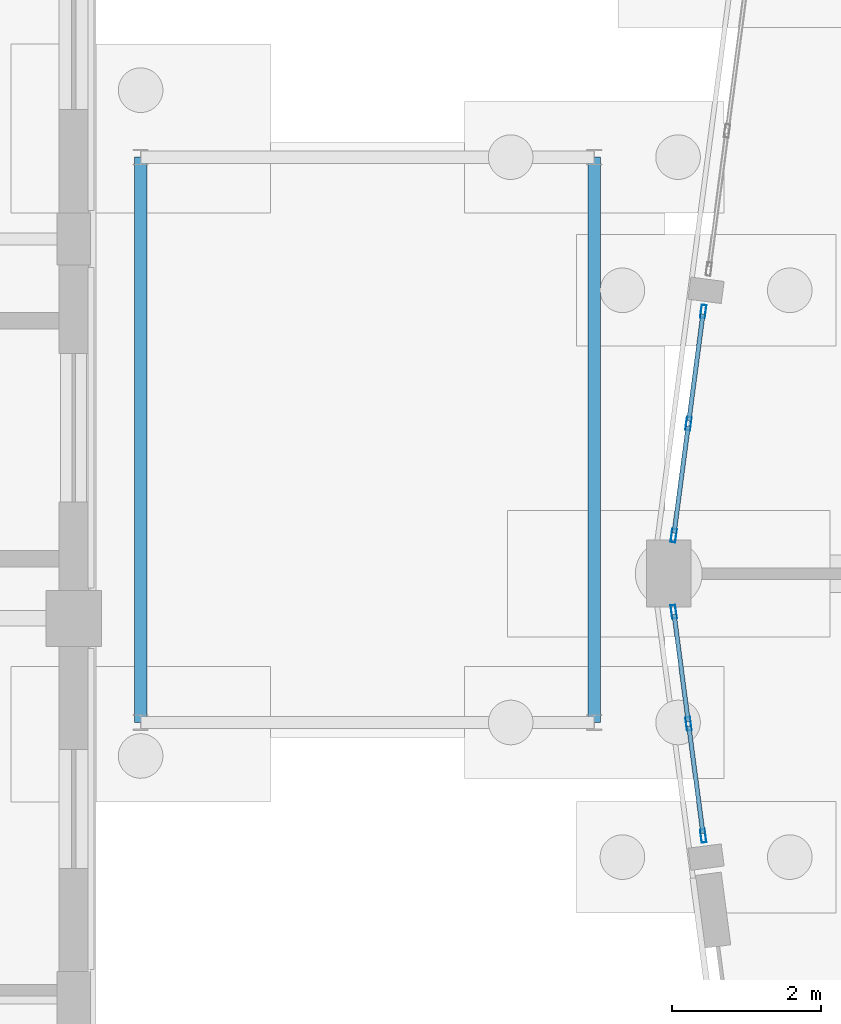
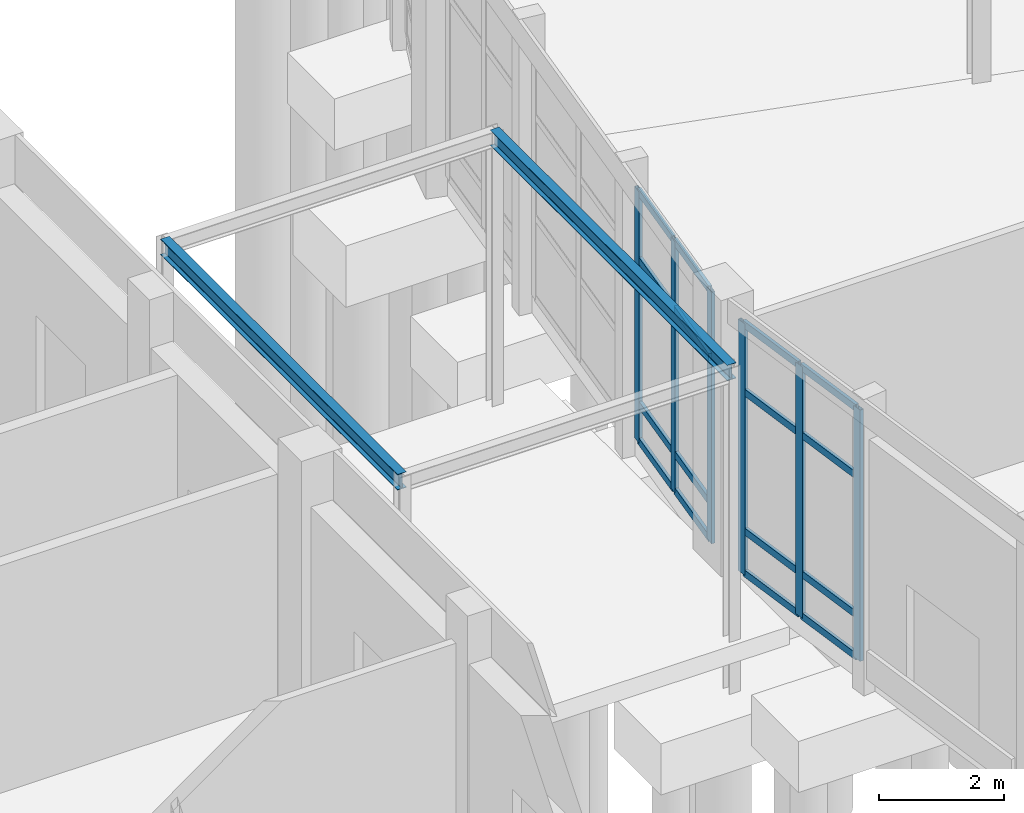
# One storey, part 46 of 137: 22 members, 2 beams, 2 elements without a shape of their own.
"""IFC4 building model written with IfcOpenShell, lengths in metres."""

from ifc_helpers import new_model, si_unit, direction, frame, origin, origin_2d, place, context, subcontext, project, spatial, hollow_rectangle, i_section, extrude, material, material_profile, profile_set, type_object, element, aggregate, save


model = new_model("IFC4")

# Units and contexts
model_context = context("Model", 3, precision=1e-05, world=origin(), true_north=direction((0.0, 1.0)))
body_context = subcontext(model_context, "Body", "Model", "MODEL_VIEW")
ifc_project = project(units=[si_unit("LENGTHUNIT", "METRE"), si_unit("AREAUNIT", "SQUARE_METRE"), si_unit("VOLUMEUNIT", "CUBIC_METRE"), si_unit("PLANEANGLEUNIT", "RADIAN"), si_unit("MASSUNIT", "GRAM", prefix="KILO")], contexts=[model_context])

# Site, building, storey
site_placement = place(None, origin())
site = spatial("IfcSite", under=ifc_project, at=site_placement, CompositionType="ELEMENT")
building_placement = place(site_placement, origin())
building = spatial("IfcBuilding", under=site, at=building_placement, Name="Vondelvale Polytechnic", CompositionType="ELEMENT")
storey_placement = place(building_placement, origin())
storey = spatial("IfcBuildingStorey", under=building, at=storey_placement, Name="L00", CompositionType="ELEMENT", Elevation=0.0)

# Beams
ifc_material_1 = material(Name="Steel 300PLUS (fy = 300 MPa)", Category="steel")
ifc_material_profile_1 = material_profile(ifc_material_1, i_section(OverallWidth=0.166015625, OverallDepth=0.306884765625, WebThickness=0.006591796875, FlangeThickness=0.01171875, FilletRadius=0.011474609375, at=origin_2d()), Name="310UB46.2")
ifc_profile_set_1 = profile_set([ifc_material_profile_1], Name="Steel 300PLUS (fy = 300 MPa)")
beam_type = type_object("IfcBeamType", Name="BM-UB310H", PredefinedType="BEAM", material=ifc_profile_set_1)
for number, where, z_axis, x_axis, name in (
    (1, (48.89990234375, 70.0, 5.196533203125), (0.0, 1.0, 0.0), (-1.0, 0.0, 0.0), "L00 LC B-16"),
    (2, (55.0, 70.0, 5.196533203125), (0.0, 1.0, 0.0), (-1.0, 0.0, 0.0), "L00 LC B-16"),
):
    element("IfcBeam", number, at=place(storey_placement, frame(where, z_axis=z_axis, x_axis=x_axis)), inside=storey, type_object=beam_type, Name=name, PredefinedType="BEAM", context=body_context, shape_type="SweptSolid", body=[
        extrude(i_section(OverallWidth=0.166015625, OverallDepth=0.306884765625, WebThickness=0.006591796875, FlangeThickness=0.01171875, FilletRadius=0.011474609375, at=origin_2d()), origin(), (0.0, 0.0, 1.0), 7.60009765625),
    ])

# Curtain wall, members
ifc_material_2 = material(Name="Glulam GL18 structural Tasmanian oak (fb = 42 MPa)", Category="wood")
curtain_wall_type = type_object("IfcCurtainWallType", Name="CW-RING-OUTER", PredefinedType="NOTDEFINED", material=ifc_material_2)
curtain_wall_1_placement = place(storey_placement, origin())
curtain_wall_1 = element("IfcCurtainWall", 3, at=curtain_wall_1_placement, inside=storey, type_object=curtain_wall_type, Name="L00 architectural curtain wall CW-04-243", PredefinedType="NOTDEFINED")
ifc_material_3 = material(Name="Anodised extruded aluminium 6063-T6", Category="aluminium")
ifc_material_profile_2 = material_profile(ifc_material_3, hollow_rectangle(XDim=0.06494140625, YDim=0.179931640625, WallThickness=0.00390625, at=origin_2d()), Name="CW-MUL-180x65")
ifc_profile_set_2 = profile_set([ifc_material_profile_2], Name="Anodised extruded aluminium 6063-T6")
member_type_1 = type_object("IfcMemberType", Name="CW-MUL-65x180", PredefinedType="MULLION", material=ifc_profile_set_2)
member_1_placement = place(storey_placement, frame((56.464111328125, 75.524658203125, 0.0), z_axis=(0.0, 0.0, 1.0), x_axis=(0.991445190781, -0.130523690099, 0.0)))
member_1 = element("IfcMember", 4, at=member_1_placement, type_object=member_type_1, Name="CW-04-243 mullion 1", PredefinedType="MULLION", context=body_context, shape_type="SweptSolid", body=[
    extrude(hollow_rectangle(XDim=0.06494140625, YDim=0.179931640625, WallThickness=0.00390625, at=origin_2d()), origin(), (0.0, 0.0, 1.0), 4.919921875),
])
member_2_placement = place(storey_placement, frame((56.265869140625, 74.0185546875, 0.0), z_axis=(0.0, 0.0, 1.0), x_axis=(0.991445190781, -0.130523690099, 0.0)))
member_2 = element("IfcMember", 5, at=member_2_placement, type_object=member_type_1, Name="CW-04-243 mullion 2", PredefinedType="MULLION", context=body_context, shape_type="SweptSolid", body=[
    extrude(hollow_rectangle(XDim=0.06494140625, YDim=0.179931640625, WallThickness=0.00390625, at=origin_2d()), origin(), (0.0, 0.0, 1.0), 4.919921875),
])
member_3_placement = place(storey_placement, frame((56.0673828125, 72.51220703125, 0.0), z_axis=(0.0, 0.0, 1.0), x_axis=(0.991445190781, -0.130523690099, 0.0)))
member_3 = element("IfcMember", 6, at=member_3_placement, type_object=member_type_1, Name="CW-04-243 mullion 3", PredefinedType="MULLION", context=body_context, shape_type="SweptSolid", body=[
    extrude(hollow_rectangle(XDim=0.06494140625, YDim=0.179931640625, WallThickness=0.00390625, at=origin_2d()), origin(), (0.0, 0.0, 1.0), 4.919921875),
])

curtain_wall_2_placement = place(storey_placement, origin())
curtain_wall_2 = element("IfcCurtainWall", 7, at=curtain_wall_2_placement, inside=storey, type_object=curtain_wall_type, Name="L00 architectural curtain wall CW-04-257", PredefinedType="NOTDEFINED")
member_4_placement = place(storey_placement, frame((56.0673828125, 71.48779296875, 0.0), z_axis=(0.0, 0.0, 1.0), x_axis=(0.991445190781, 0.130523690099, 0.0)))
member_4 = element("IfcMember", 8, at=member_4_placement, type_object=member_type_1, Name="CW-04-257 mullion 1", PredefinedType="MULLION", context=body_context, shape_type="SweptSolid", body=[
    extrude(hollow_rectangle(XDim=0.06494140625, YDim=0.179931640625, WallThickness=0.00390625, at=origin_2d()), origin(), (0.0, 0.0, 1.0), 4.919921875),
])
member_5_placement = place(storey_placement, frame((56.265869140625, 69.9814453125, 0.0), z_axis=(0.0, 0.0, 1.0), x_axis=(0.991445190781, 0.130523690099, 0.0)))
member_5 = element("IfcMember", 9, at=member_5_placement, type_object=member_type_1, Name="CW-04-257 mullion 2", PredefinedType="MULLION", context=body_context, shape_type="SweptSolid", body=[
    extrude(hollow_rectangle(XDim=0.06494140625, YDim=0.179931640625, WallThickness=0.00390625, at=origin_2d()), origin(), (0.0, 0.0, 1.0), 4.919921875),
])
member_6_placement = place(storey_placement, frame((56.464111328125, 68.475341796875, 0.0), z_axis=(0.0, 0.0, 1.0), x_axis=(0.991445190781, 0.130523690099, 0.0)))
member_6 = element("IfcMember", 10, at=member_6_placement, type_object=member_type_1, Name="CW-04-257 mullion 3", PredefinedType="MULLION", context=body_context, shape_type="SweptSolid", body=[
    extrude(hollow_rectangle(XDim=0.06494140625, YDim=0.179931640625, WallThickness=0.00390625, at=origin_2d()), origin(), (0.0, 0.0, 1.0), 4.919921875),
])

# Member
ifc_material_profile_3 = material_profile(ifc_material_3, hollow_rectangle(XDim=0.06005859375, YDim=0.139892578125, WallThickness=0.00341796875, at=origin_2d()), Name="CW-TRN-140x60")
ifc_profile_set_3 = profile_set([ifc_material_profile_3], Name="Anodised extruded aluminium 6063-T6")
member_type_2 = type_object("IfcMemberType", Name="CW-TRN-60x140", PredefinedType="USERDEFINED", material=ifc_profile_set_3)
member_7_placement = place(storey_placement, frame((56.459716796875, 75.49267578125, 0.030029296875), z_axis=(-0.130437142462, -0.991456580928, 0.0), x_axis=(0.991456580928, -0.130437142462, 0.0)))
member_7 = element("IfcMember", 11, at=member_7_placement, type_object=member_type_2, Name="CW-04-243 transom 1.1", ObjectType="TRANSOM", PredefinedType="USERDEFINED", context=body_context, shape_type="SweptSolid", body=[
    extrude(hollow_rectangle(XDim=0.06005859375, YDim=0.139892578125, WallThickness=0.00341796875, at=origin_2d()), origin(), (0.0, 0.0, 1.0), 1.454345703125),
])

member_8_placement = place(storey_placement, frame((56.459716796875, 75.49267578125, 0.75), z_axis=(-0.130437142462, -0.991456580928, 0.0), x_axis=(0.991456580928, -0.130437142462, 0.0)))
member_8 = element("IfcMember", 12, at=member_8_placement, type_object=member_type_2, Name="CW-04-243 transom 1.2", ObjectType="TRANSOM", PredefinedType="USERDEFINED", context=body_context, shape_type="SweptSolid", body=[
    extrude(hollow_rectangle(XDim=0.06005859375, YDim=0.139892578125, WallThickness=0.00341796875, at=origin_2d()), origin(), (0.0, 0.0, 1.0), 1.454345703125),
])

member_9_placement = place(storey_placement, frame((56.459716796875, 75.49267578125, 3.570068359375), z_axis=(-0.130437142462, -0.991456580928, 0.0), x_axis=(0.991456580928, -0.130437142462, 0.0)))
member_9 = element("IfcMember", 13, at=member_9_placement, type_object=member_type_2, Name="CW-04-243 transom 1.3", ObjectType="TRANSOM", PredefinedType="USERDEFINED", context=body_context, shape_type="SweptSolid", body=[
    extrude(hollow_rectangle(XDim=0.06005859375, YDim=0.139892578125, WallThickness=0.00341796875, at=origin_2d()), origin(), (0.0, 0.0, 1.0), 1.454345703125),
])

member_10_placement = place(storey_placement, frame((56.459716796875, 75.49267578125, 4.889892578125), z_axis=(-0.130437142462, -0.991456580928, 0.0), x_axis=(0.991456580928, -0.130437142462, 0.0)))
member_10 = element("IfcMember", 14, at=member_10_placement, type_object=member_type_2, Name="CW-04-243 transom 1.4", ObjectType="TRANSOM", PredefinedType="USERDEFINED", context=body_context, shape_type="SweptSolid", body=[
    extrude(hollow_rectangle(XDim=0.06005859375, YDim=0.139892578125, WallThickness=0.00341796875, at=origin_2d()), origin(), (0.0, 0.0, 1.0), 1.454345703125),
])

member_11_placement = place(storey_placement, frame((56.261474609375, 73.986328125, 0.030029296875), z_axis=(-0.130437142462, -0.991456580928, 0.0), x_axis=(0.991456580928, -0.130437142462, 0.0)))
member_11 = element("IfcMember", 15, at=member_11_placement, type_object=member_type_2, Name="CW-04-243 transom 2.1", ObjectType="TRANSOM", PredefinedType="USERDEFINED", context=body_context, shape_type="SweptSolid", body=[
    extrude(hollow_rectangle(XDim=0.06005859375, YDim=0.139892578125, WallThickness=0.00341796875, at=origin_2d()), origin(), (0.0, 0.0, 1.0), 1.454345703125),
])

member_12_placement = place(storey_placement, frame((56.261474609375, 73.986328125, 0.75), z_axis=(-0.130437142462, -0.991456580928, 0.0), x_axis=(0.991456580928, -0.130437142462, 0.0)))
member_12 = element("IfcMember", 16, at=member_12_placement, type_object=member_type_2, Name="CW-04-243 transom 2.2", ObjectType="TRANSOM", PredefinedType="USERDEFINED", context=body_context, shape_type="SweptSolid", body=[
    extrude(hollow_rectangle(XDim=0.06005859375, YDim=0.139892578125, WallThickness=0.00341796875, at=origin_2d()), origin(), (0.0, 0.0, 1.0), 1.454345703125),
])

member_13_placement = place(storey_placement, frame((56.261474609375, 73.986328125, 3.570068359375), z_axis=(-0.130437142462, -0.991456580928, 0.0), x_axis=(0.991456580928, -0.130437142462, 0.0)))
member_13 = element("IfcMember", 17, at=member_13_placement, type_object=member_type_2, Name="CW-04-243 transom 2.3", ObjectType="TRANSOM", PredefinedType="USERDEFINED", context=body_context, shape_type="SweptSolid", body=[
    extrude(hollow_rectangle(XDim=0.06005859375, YDim=0.139892578125, WallThickness=0.00341796875, at=origin_2d()), origin(), (0.0, 0.0, 1.0), 1.454345703125),
])

member_14_placement = place(storey_placement, frame((56.261474609375, 73.986328125, 4.889892578125), z_axis=(-0.130437142462, -0.991456580928, 0.0), x_axis=(0.991456580928, -0.130437142462, 0.0)))
member_14 = element("IfcMember", 18, at=member_14_placement, type_object=member_type_2, Name="CW-04-243 transom 2.4", ObjectType="TRANSOM", PredefinedType="USERDEFINED", context=body_context, shape_type="SweptSolid", body=[
    extrude(hollow_rectangle(XDim=0.06005859375, YDim=0.139892578125, WallThickness=0.00341796875, at=origin_2d()), origin(), (0.0, 0.0, 1.0), 1.454345703125),
])

aggregate(curtain_wall_1, [member_1, member_2, member_3, member_7, member_8, member_9, member_10, member_11, member_12, member_13, member_14])

member_15_placement = place(storey_placement, frame((56.07177734375, 71.45556640625, 0.030029296875), z_axis=(0.130437142462, -0.991456580928, 0.0), x_axis=(0.991456580928, 0.130437142462, 0.0)))
member_15 = element("IfcMember", 19, at=member_15_placement, type_object=member_type_2, Name="CW-04-257 transom 1.1", ObjectType="TRANSOM", PredefinedType="USERDEFINED", context=body_context, shape_type="SweptSolid", body=[
    extrude(hollow_rectangle(XDim=0.06005859375, YDim=0.139892578125, WallThickness=0.00341796875, at=origin_2d()), origin(), (0.0, 0.0, 1.0), 1.454345703125),
])

member_16_placement = place(storey_placement, frame((56.07177734375, 71.45556640625, 0.85009765625), z_axis=(0.130437142462, -0.991456580928, 0.0), x_axis=(0.991456580928, 0.130437142462, 0.0)))
member_16 = element("IfcMember", 20, at=member_16_placement, type_object=member_type_2, Name="CW-04-257 transom 1.2", ObjectType="TRANSOM", PredefinedType="USERDEFINED", context=body_context, shape_type="SweptSolid", body=[
    extrude(hollow_rectangle(XDim=0.06005859375, YDim=0.139892578125, WallThickness=0.00341796875, at=origin_2d()), origin(), (0.0, 0.0, 1.0), 1.454345703125),
])

member_17_placement = place(storey_placement, frame((56.07177734375, 71.45556640625, 3.570068359375), z_axis=(0.130437142462, -0.991456580928, 0.0), x_axis=(0.991456580928, 0.130437142462, 0.0)))
member_17 = element("IfcMember", 21, at=member_17_placement, type_object=member_type_2, Name="CW-04-257 transom 1.3", ObjectType="TRANSOM", PredefinedType="USERDEFINED", context=body_context, shape_type="SweptSolid", body=[
    extrude(hollow_rectangle(XDim=0.06005859375, YDim=0.139892578125, WallThickness=0.00341796875, at=origin_2d()), origin(), (0.0, 0.0, 1.0), 1.454345703125),
])

member_18_placement = place(storey_placement, frame((56.07177734375, 71.45556640625, 4.889892578125), z_axis=(0.130437142462, -0.991456580928, 0.0), x_axis=(0.991456580928, 0.130437142462, 0.0)))
member_18 = element("IfcMember", 22, at=member_18_placement, type_object=member_type_2, Name="CW-04-257 transom 1.4", ObjectType="TRANSOM", PredefinedType="USERDEFINED", context=body_context, shape_type="SweptSolid", body=[
    extrude(hollow_rectangle(XDim=0.06005859375, YDim=0.139892578125, WallThickness=0.00341796875, at=origin_2d()), origin(), (0.0, 0.0, 1.0), 1.454345703125),
])

member_19_placement = place(storey_placement, frame((56.27001953125, 69.94921875, 0.030029296875), z_axis=(0.130437142462, -0.991456580928, 0.0), x_axis=(0.991456580928, 0.130437142462, 0.0)))
member_19 = element("IfcMember", 23, at=member_19_placement, type_object=member_type_2, Name="CW-04-257 transom 2.1", ObjectType="TRANSOM", PredefinedType="USERDEFINED", context=body_context, shape_type="SweptSolid", body=[
    extrude(hollow_rectangle(XDim=0.06005859375, YDim=0.139892578125, WallThickness=0.00341796875, at=origin_2d()), origin(), (0.0, 0.0, 1.0), 1.454345703125),
])

member_20_placement = place(storey_placement, frame((56.27001953125, 69.94921875, 0.85009765625), z_axis=(0.130437142462, -0.991456580928, 0.0), x_axis=(0.991456580928, 0.130437142462, 0.0)))
member_20 = element("IfcMember", 24, at=member_20_placement, type_object=member_type_2, Name="CW-04-257 transom 2.2", ObjectType="TRANSOM", PredefinedType="USERDEFINED", context=body_context, shape_type="SweptSolid", body=[
    extrude(hollow_rectangle(XDim=0.06005859375, YDim=0.139892578125, WallThickness=0.00341796875, at=origin_2d()), origin(), (0.0, 0.0, 1.0), 1.454345703125),
])

member_21_placement = place(storey_placement, frame((56.27001953125, 69.94921875, 3.570068359375), z_axis=(0.130437142462, -0.991456580928, 0.0), x_axis=(0.991456580928, 0.130437142462, 0.0)))
member_21 = element("IfcMember", 25, at=member_21_placement, type_object=member_type_2, Name="CW-04-257 transom 2.3", ObjectType="TRANSOM", PredefinedType="USERDEFINED", context=body_context, shape_type="SweptSolid", body=[
    extrude(hollow_rectangle(XDim=0.06005859375, YDim=0.139892578125, WallThickness=0.00341796875, at=origin_2d()), origin(), (0.0, 0.0, 1.0), 1.454345703125),
])

member_22_placement = place(storey_placement, frame((56.27001953125, 69.94921875, 4.889892578125), z_axis=(0.130437142462, -0.991456580928, 0.0), x_axis=(0.991456580928, 0.130437142462, 0.0)))
member_22 = element("IfcMember", 26, at=member_22_placement, type_object=member_type_2, Name="CW-04-257 transom 2.4", ObjectType="TRANSOM", PredefinedType="USERDEFINED", context=body_context, shape_type="SweptSolid", body=[
    extrude(hollow_rectangle(XDim=0.06005859375, YDim=0.139892578125, WallThickness=0.00341796875, at=origin_2d()), origin(), (0.0, 0.0, 1.0), 1.454345703125),
])

aggregate(curtain_wall_2, [member_4, member_5, member_6, member_15, member_16, member_17, member_18, member_19, member_20, member_21, member_22])

save(model, "model.ifc")
